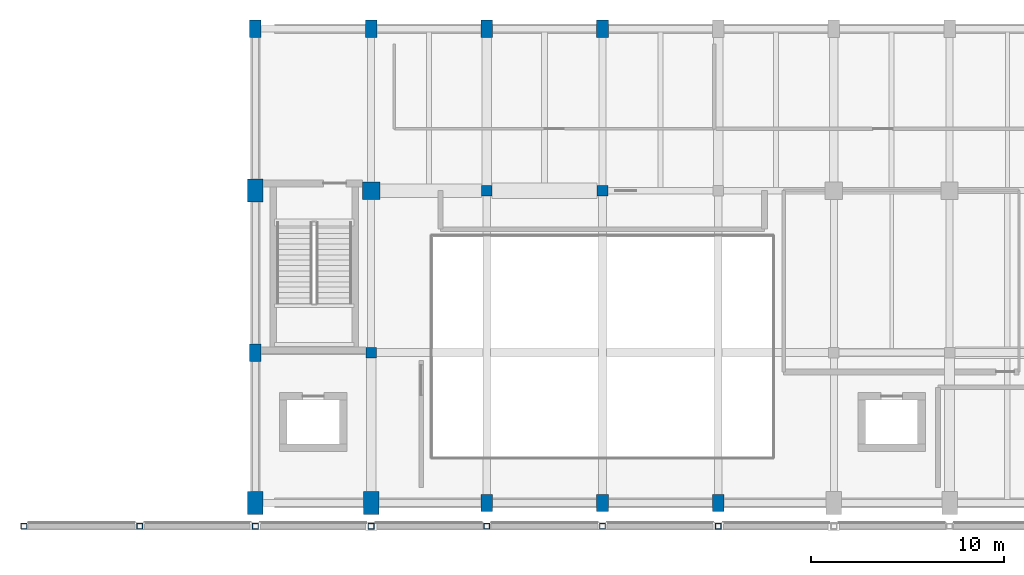
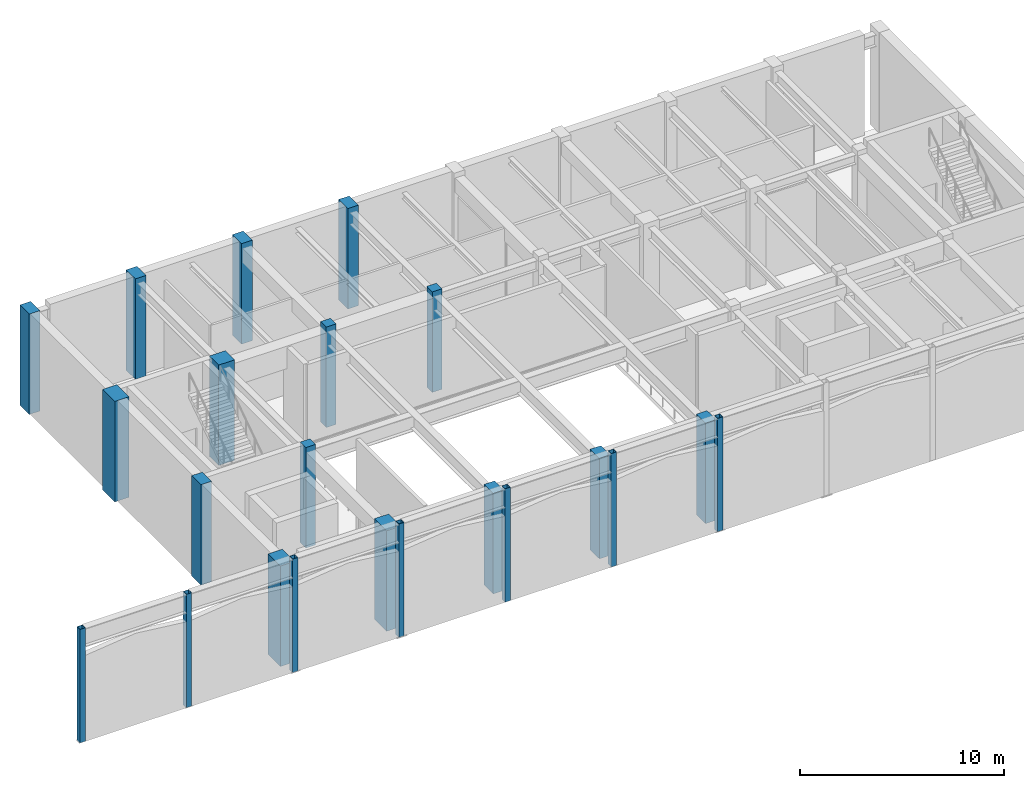
# One storey, part 1 of 8: 22 columns.
"""IFC4 building model written with IfcOpenShell, lengths in metres."""

from ifc_helpers import new_model, si_unit, direction, frame, origin, origin_2d, place, context, subcontext, project, spatial, rectangle, hollow_rectangle, extrude, material, material_profile, profile_set, type_object, element, save


model = new_model("IFC4")

# Units and contexts
model_context = context("Model", 3, precision=1e-05, world=origin(), true_north=direction((0.0, 1.0)))
body_context = subcontext(model_context, "Body", "Model", "MODEL_VIEW")
ifc_project = project(units=[si_unit("LENGTHUNIT", "METRE"), si_unit("AREAUNIT", "SQUARE_METRE"), si_unit("VOLUMEUNIT", "CUBIC_METRE"), si_unit("PLANEANGLEUNIT", "RADIAN"), si_unit("MASSUNIT", "GRAM", prefix="KILO")], contexts=[model_context])

# Site, building, storey
site_placement = place(None, origin())
site = spatial("IfcSite", under=ifc_project, at=site_placement, CompositionType="ELEMENT")
building_placement = place(site_placement, origin())
building = spatial("IfcBuilding", under=site, at=building_placement, Name="Vaelkrest Opera House", CompositionType="ELEMENT")
storey_placement = place(building_placement, frame((0.0, 0.0, 30.0)))
storey = spatial("IfcBuildingStorey", under=building, at=storey_placement, Name="L06", CompositionType="ELEMENT", Elevation=30.0)

# Columns
ifc_material_1 = material(Name="Concrete C50/60", Category="concrete")
ifc_material_profile_1 = material_profile(ifc_material_1, rectangle(XDim=0.89990234375, YDim=0.89990234375, at=origin_2d()), Name="RC900X900")
ifc_profile_set_1 = profile_set([ifc_material_profile_1], Name="Concrete C50/60")
column_type_1 = type_object("IfcColumnType", Name="C05", PredefinedType="COLUMN", material=ifc_profile_set_1)
column_placement = place(storey_placement, frame((-12.0, 33.60009765625, 0.0), z_axis=(0.0, 0.0, 1.0), x_axis=(1.0, 0.0, 0.0)))
element("IfcColumn", 1, at=column_placement, inside=storey, type_object=column_type_1, Name="Column COL-V2-L06-0764", PredefinedType="COLUMN", context=body_context, shape_type="SweptSolid", body=[
    extrude(rectangle(XDim=0.89990234375, YDim=0.89990234375, at=origin_2d()), origin(), (0.0, 0.0, 1.0), 6.0),
])
ifc_material_profile_2 = material_profile(ifc_material_1, rectangle(XDim=0.60009765625, YDim=0.89990234375, at=origin_2d()), Name="RC600X900")
ifc_profile_set_2 = profile_set([ifc_material_profile_2], Name="Concrete C50/60")
column_type_2 = type_object("IfcColumnType", Name="C06", PredefinedType="COLUMN", material=ifc_profile_set_2)
for number, where, z_axis, x_axis, name in (
    (2, (-18.0, 25.199951171875, 0.0), (0.0, 0.0, 1.0), (1.0, 0.0, 0.0), "Column COL-V2-L06-0759"),
    (3, (-18.0, 42.0, 0.0), (0.0, 0.0, 1.0), (1.0, 0.0, 0.0), "Column COL-V2-L06-0761"),
    (4, (-12.0, 42.0, 0.0), (0.0, 0.0, 1.0), (1.0, 0.0, 0.0), "Column COL-V2-L06-0765"),
    (5, (-6.0, 17.39990234375, 0.0), (0.0, 0.0, 1.0), (1.0, 0.0, 0.0), "Column COL-V2-L06-0766"),
    (6, (-6.0, 42.0, 0.0), (0.0, 0.0, 1.0), (1.0, 0.0, 0.0), "Column COL-V2-L06-0768"),
    (7, (0.0, 17.39990234375, 0.0), (0.0, 0.0, 1.0), (1.0, 0.0, 0.0), "Column COL-V2-L06-0769"),
    (8, (0.0, 42.0, 0.0), (0.0, 0.0, 1.0), (1.0, 0.0, 0.0), "Column COL-V2-L06-0771"),
    (9, (6.0, 17.39990234375, 0.0), (0.0, 0.0, 1.0), (1.0, 0.0, 0.0), "Column COL-V2-L06-0772"),
):
    element("IfcColumn", number, at=place(storey_placement, frame(where, z_axis=z_axis, x_axis=x_axis)), inside=storey, type_object=column_type_2, Name=name, PredefinedType="COLUMN", context=body_context, shape_type="SweptSolid", body=[
        extrude(rectangle(XDim=0.60009765625, YDim=0.89990234375, at=origin_2d()), origin(), (0.0, 0.0, 1.0), 6.0),
    ])
ifc_material_profile_3 = material_profile(ifc_material_1, rectangle(XDim=0.800048828125, YDim=1.199951171875, at=origin_2d()), Name="RC800X1200")
ifc_profile_set_3 = profile_set([ifc_material_profile_3], Name="Concrete C50/60")
column_type_3 = type_object("IfcColumnType", Name="C08", PredefinedType="COLUMN", material=ifc_profile_set_3)
for number, where, z_axis, x_axis, name in (
    (10, (-18.0, 17.39990234375, 0.0), (0.0, 0.0, 1.0), (1.0, 0.0, 0.0), "Column COL-V2-L06-0758"),
    (11, (-18.0, 33.60009765625, 0.0), (0.0, 0.0, 1.0), (1.0, 0.0, 0.0), "Column COL-V2-L06-0760"),
    (12, (-12.0, 17.39990234375, 0.0), (0.0, 0.0, 1.0), (1.0, 0.0, 0.0), "Column COL-V2-L06-0762"),
):
    element("IfcColumn", number, at=place(storey_placement, frame(where, z_axis=z_axis, x_axis=x_axis)), inside=storey, type_object=column_type_3, Name=name, PredefinedType="COLUMN", context=body_context, shape_type="SweptSolid", body=[
        extrude(rectangle(XDim=0.800048828125, YDim=1.199951171875, at=origin_2d()), origin(), (0.0, 0.0, 1.0), 6.0),
    ])
ifc_material_2 = material(Name="Steel A500 GrC", Category="steel")
ifc_material_profile_4 = material_profile(ifc_material_2, hollow_rectangle(XDim=0.304931640625, YDim=0.304931640625, WallThickness=0.015869140625, at=origin_2d()), Name="HSS305X305X15.9")
ifc_profile_set_4 = profile_set([ifc_material_profile_4], Name="Steel A500 GrC")
column_type_4 = type_object("IfcColumnType", Name="C12", PredefinedType="COLUMN", material=ifc_profile_set_4)
for number, where, z_axis, x_axis, name in (
    (13, (-30.0, 16.199951171875, 0.0), (0.0, 0.0, 1.0), (1.0, 0.0, 0.0), "Roof fold pier post V1-N-00"),
    (14, (-24.0, 16.199951171875, 0.0), (0.0, 0.0, 1.0), (1.0, 0.0, 0.0), "Roof fold pier post V1-N-01"),
    (15, (-18.0, 16.199951171875, 0.0), (0.0, 0.0, 1.0), (1.0, 0.0, 0.0), "Roof fold pier post V1-N-02"),
    (16, (-12.0, 16.199951171875, 0.0), (0.0, 0.0, 1.0), (1.0, 0.0, 0.0), "Roof fold pier post V1-N-03"),
    (17, (-6.0, 16.199951171875, 0.0), (0.0, 0.0, 1.0), (1.0, 0.0, 0.0), "Roof fold pier post V1-N-04"),
    (18, (0.0, 16.199951171875, 0.0), (0.0, 0.0, 1.0), (1.0, 0.0, 0.0), "Roof fold pier post V1-N-05"),
    (19, (6.0, 16.199951171875, 0.0), (0.0, 0.0, 1.0), (1.0, 0.0, 0.0), "Roof fold pier post V1-N-06"),
):
    element("IfcColumn", number, at=place(storey_placement, frame(where, z_axis=z_axis, x_axis=x_axis)), inside=storey, type_object=column_type_4, Name=name, PredefinedType="COLUMN", context=body_context, shape_type="SweptSolid", body=[
        extrude(hollow_rectangle(XDim=0.304931640625, YDim=0.304931640625, WallThickness=0.015869140625, at=origin_2d()), origin(), (0.0, 0.0, 1.0), 6.77392578125),
    ])
ifc_material_profile_5 = material_profile(ifc_material_1, rectangle(XDim=0.550048828125, YDim=0.550048828125, at=origin_2d()), Name="RC550X550")
ifc_profile_set_5 = profile_set([ifc_material_profile_5], Name="Concrete C50/60")
column_type_5 = type_object("IfcColumnType", Name="C13", PredefinedType="COLUMN", material=ifc_profile_set_5)
for number, where, z_axis, x_axis, name in (
    (20, (-12.0, 25.199951171875, 0.0), (0.0, 0.0, 1.0), (1.0, 0.0, 0.0), "Column COL-V2-L06-0763"),
    (21, (-6.0, 33.60009765625, 0.0), (0.0, 0.0, 1.0), (1.0, 0.0, 0.0), "Column COL-V2-L06-0767"),
    (22, (0.0, 33.60009765625, 0.0), (0.0, 0.0, 1.0), (1.0, 0.0, 0.0), "Column COL-V2-L06-0770"),
):
    element("IfcColumn", number, at=place(storey_placement, frame(where, z_axis=z_axis, x_axis=x_axis)), inside=storey, type_object=column_type_5, Name=name, PredefinedType="COLUMN", context=body_context, shape_type="SweptSolid", body=[
        extrude(rectangle(XDim=0.550048828125, YDim=0.550048828125, at=origin_2d()), origin(), (0.0, 0.0, 1.0), 6.0),
    ])

save(model, "model.ifc")
